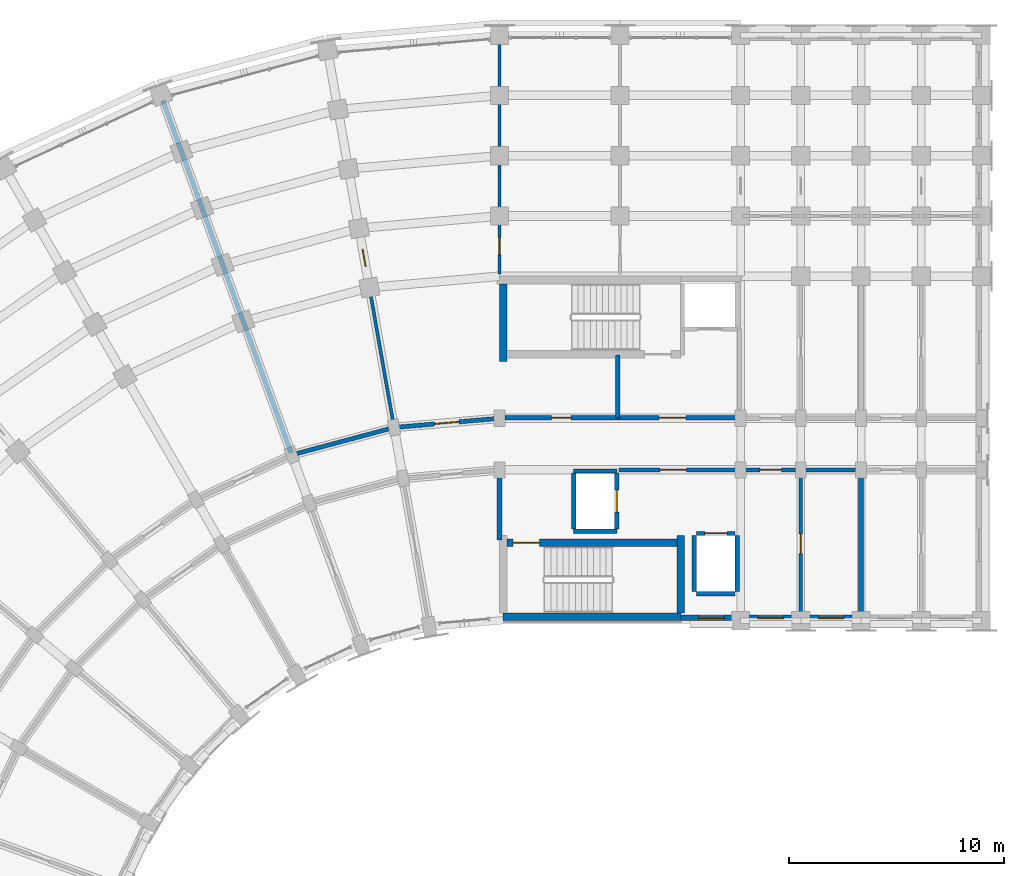
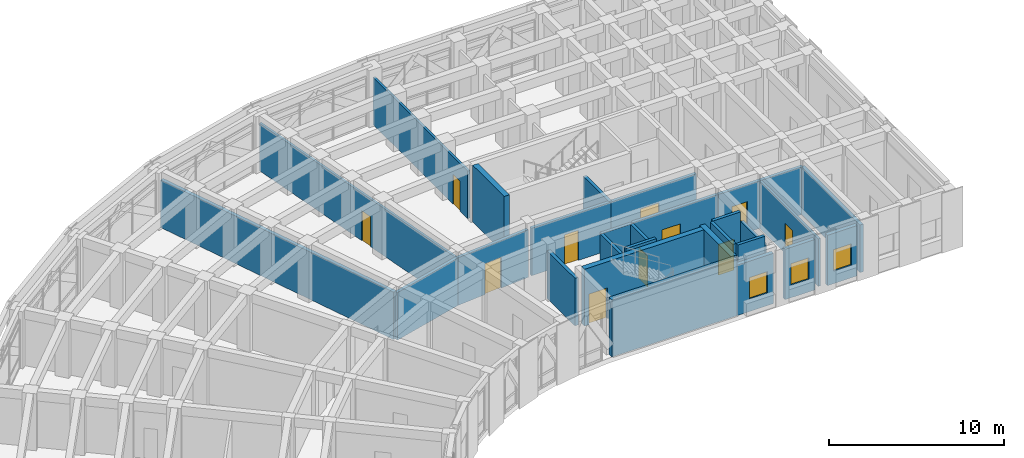
# One storey, part 69 of 97: 29 walls, 11 doors, 3 windows, 14 openings.
"""IFC4 building model written with IfcOpenShell, lengths in metres."""

from ifc_helpers import new_model, si_unit, direction, frame, frame_2d, origin, place, context, subcontext, project, spatial, rectangle, extrude, material, layer, layer_set, type_object, element, fill, save


model = new_model("IFC4")

# Units and contexts
model_context = context("Model", 3, precision=1e-05, world=origin(), true_north=direction((0.0, 1.0)))
body_context = subcontext(model_context, "Body", "Model", "MODEL_VIEW")
ifc_project = project(units=[si_unit("LENGTHUNIT", "METRE"), si_unit("AREAUNIT", "SQUARE_METRE"), si_unit("VOLUMEUNIT", "CUBIC_METRE"), si_unit("PLANEANGLEUNIT", "RADIAN"), si_unit("MASSUNIT", "GRAM", prefix="KILO")], contexts=[model_context])

# Site, building, storey
site_placement = place(None, origin())
site = spatial("IfcSite", under=ifc_project, at=site_placement, CompositionType="ELEMENT")
building_placement = place(site_placement, origin())
building = spatial("IfcBuilding", under=site, at=building_placement, Name="Kiranvali Square Residences", CompositionType="ELEMENT")
storey_placement = place(building_placement, frame((0.0, 0.0, 4.5)))
storey = spatial("IfcBuildingStorey", under=building, at=storey_placement, Name="L01", CompositionType="ELEMENT", Elevation=4.5)

# Wall, opening, door
ifc_material_1 = material(Name="Autoclaved aerated concrete blockwork masonry", Category="masonry")
ifc_layer_1 = layer(ifc_material_1, 0.199951171875)
ifc_layer_set_1 = layer_set([ifc_layer_1], Name="Autoclaved aerated concrete blockwork masonry")
wall_type_1 = type_object("IfcWallType", Name="WL-COR-200", PredefinedType="STANDARD", material=ifc_layer_set_1)
wall_1_placement = place(storey_placement, frame((53.75, 113.60009765625, 0.0), z_axis=(0.0, 0.0, 1.0), x_axis=(1.0, 0.0, 0.0)))
wall_1 = element("IfcWall", 1, at=wall_1_placement, inside=storey, type_object=wall_type_1, Name="L01 architectural wall WL-L01-A-LL-COR", PredefinedType="STANDARD", context=body_context, shape_type="SweptSolid", body=[
    extrude(rectangle(XDim=5.60009765625, YDim=0.199951171875, at=frame_2d((2.800048828125, 0.0))), origin(), (0.0, 0.0, 1.0), 3.322021484375),
])
opening_1_placement = place(wall_1_placement, frame((1.909912109375, 0.0, 0.0)))
opening_1 = element("IfcOpeningElement", 2, at=opening_1_placement, cuts=wall_1, Name="Opening FD-COR-60", PredefinedType="OPENING", context=body_context, shape_type="SweptSolid", body=[
    extrude(rectangle(XDim=1.219970703125, YDim=2.14990234375, at=frame_2d((0.60986328125, 1.074951171875))), frame((0.0, 0.10986328125, 0.0), z_axis=(0.0, -1.0, 0.0), x_axis=(1.0, 0.0, 0.0)), (0.0, 0.0, 1.0), 0.219970703125),
])
ifc_material_2 = material(Name="Fire-rated acoustic hardwood and mineral-core door assembly", Category="wood")
door_type_1 = type_object("IfcDoorType", Name="DR-FD60-1200", OperationType="NOTDEFINED", PredefinedType="DOOR", material=ifc_material_2)
door_1_placement = place(opening_1_placement, frame((1.219970703125, 0.0, 0.0), z_axis=(0.0, 0.0, 1.0), x_axis=(-1.0, 0.0, 0.0)))
door_1 = element("IfcDoor", 3, at=door_1_placement, inside=storey, type_object=door_type_1, Name="L01 door DR-L01-0104 (DR-FD60-1200)", OperationType="SINGLE_SWING_RIGHT", OverallHeight=2.14990234375, OverallWidth=1.219970703125, PredefinedType="DOOR", context=body_context, shape_type="SweptSolid", body=[
    extrude(rectangle(XDim=1.219970703125, YDim=2.14990234375, at=frame_2d((0.60986328125, 1.074951171875))), frame((0.0, 0.02490234375, 0.0), z_axis=(0.0, -1.0, 0.0), x_axis=(1.0, 0.0, 0.0)), (0.0, 0.0, 1.0), 0.050048828125),
])
fill(opening_1, door_1)

wall_2_placement = place(storey_placement, frame((59.39990234375, 113.60009765625, 0.0), z_axis=(0.0, 0.0, 1.0), x_axis=(1.0, 0.0, 0.0)))
wall_2 = element("IfcWall", 4, at=wall_2_placement, inside=storey, type_object=wall_type_1, Name="L01 architectural wall WL-L01-A-A1CI-0", PredefinedType="STANDARD", context=body_context, shape_type="SweptSolid", body=[
    extrude(rectangle(XDim=2.800048828125, YDim=0.199951171875, at=frame_2d((1.39990234375, 0.0))), origin(), (0.0, 0.0, 1.0), 3.322021484375),
])
opening_2_placement = place(wall_2_placement, frame((0.89990234375, 0.0, 0.0)))
opening_2 = element("IfcOpeningElement", 5, at=opening_2_placement, cuts=wall_2, Name="Opening FD-APT-60", PredefinedType="OPENING", context=body_context, shape_type="SweptSolid", body=[
    extrude(rectangle(XDim=1.0, YDim=2.14990234375, at=frame_2d((0.5, 1.074951171875))), frame((0.0, 0.10986328125, 0.0), z_axis=(0.0, -1.0, 0.0), x_axis=(1.0, 0.0, 0.0)), (0.0, 0.0, 1.0), 0.219970703125),
])
door_type_2 = type_object("IfcDoorType", Name="DR-APT-1000", OperationType="NOTDEFINED", PredefinedType="DOOR", material=ifc_material_2)
door_2_placement = place(opening_2_placement, frame((1.0, 0.0, 0.0), z_axis=(0.0, 0.0, 1.0), x_axis=(-1.0, 0.0, 0.0)))
door_2 = element("IfcDoor", 6, at=door_2_placement, inside=storey, type_object=door_type_2, Name="L01 door DR-L01-0108 (DR-APT-1000)", OperationType="SINGLE_SWING_RIGHT", OverallHeight=2.14990234375, OverallWidth=1.0, PredefinedType="DOOR", context=body_context, shape_type="SweptSolid", body=[
    extrude(rectangle(XDim=1.0, YDim=2.14990234375, at=frame_2d((0.5, 1.074951171875))), frame((0.0, 0.02490234375, 0.0), z_axis=(0.0, -1.0, 0.0), x_axis=(1.0, 0.0, 0.0)), (0.0, 0.0, 1.0), 0.050048828125),
])
fill(opening_2, door_2)

# Wall
wall_3_placement = place(storey_placement, frame((62.199951171875, 113.60009765625, 0.0), z_axis=(0.0, 0.0, 1.0), x_axis=(1.0, 0.0, 0.0)))
element("IfcWall", 7, at=wall_3_placement, inside=storey, type_object=wall_type_1, Name="L01 architectural wall WL-L01-A-A1CI-1", PredefinedType="STANDARD", context=body_context, shape_type="SweptSolid", body=[
    extrude(rectangle(XDim=2.800048828125, YDim=0.199951171875, at=frame_2d((1.39990234375, 0.0))), origin(), (0.0, 0.0, 1.0), 3.322021484375),
])

# Wall, opening, door
wall_4_placement = place(storey_placement, frame((48.199951171875, 116.0, 0.0), z_axis=(0.0, 0.0, 1.0), x_axis=(-0.996193663584, -0.087167566415, 0.0)))
wall_4 = element("IfcWall", 8, at=wall_4_placement, inside=storey, type_object=wall_type_1, Name="L01 architectural wall WL-L01-A-CCO-0", PredefinedType="STANDARD", context=body_context, shape_type="SweptSolid", body=[
    extrude(rectangle(XDim=4.91552734375, YDim=0.199951171875, at=frame_2d((2.457763671875, 0.0))), origin(), (0.0, 0.0, 1.0), 3.322021484375),
])
opening_3_placement = place(wall_4_placement, frame((1.8876953125, 0.0, 0.0)))
opening_3 = element("IfcOpeningElement", 9, at=opening_3_placement, cuts=wall_4, Name="Opening FD-APT-60D", PredefinedType="OPENING", context=body_context, shape_type="SweptSolid", body=[
    extrude(rectangle(XDim=1.139892578125, YDim=2.14990234375, at=frame_2d((0.56982421875, 1.074951171875))), frame((0.0, 0.10986328125, 0.0), z_axis=(0.0, -1.0, 0.0), x_axis=(1.0, 0.0, 0.0)), (0.0, 0.0, 1.0), 0.219970703125),
])
door_type_3 = type_object("IfcDoorType", Name="DR-APT-1140", OperationType="NOTDEFINED", PredefinedType="DOOR", material=ifc_material_2)
door_3_placement = place(opening_3_placement, origin())
door_3 = element("IfcDoor", 10, at=door_3_placement, inside=storey, type_object=door_type_3, Name="L01 door DR-L01-0135 (DR-APT-1140)", OperationType="SINGLE_SWING_LEFT", OverallHeight=2.14990234375, OverallWidth=1.139892578125, PredefinedType="DOOR", context=body_context, shape_type="SweptSolid", body=[
    extrude(rectangle(XDim=1.139892578125, YDim=2.14990234375, at=frame_2d((0.56982421875, 1.074951171875))), frame((0.0, 0.02490234375, 0.0), z_axis=(0.0, -1.0, 0.0), x_axis=(1.0, 0.0, 0.0)), (0.0, 0.0, 1.0), 0.050048828125),
])
fill(opening_3, door_3)

# Walls
wall_5_placement = place(storey_placement, frame((43.30322265625, 115.571533203125, 0.0), z_axis=(0.0, 0.0, 1.0), x_axis=(-0.965930095386, -0.258803112091, 0.0)))
element("IfcWall", 11, at=wall_5_placement, inside=storey, type_object=wall_type_1, Name="L01 architectural wall WL-L01-A-CCO-1", PredefinedType="STANDARD", context=body_context, shape_type="SweptSolid", body=[
    extrude(rectangle(XDim=4.915771484375, YDim=0.199951171875, at=frame_2d((2.4580078125, 0.0))), origin(), (0.0, 0.0, 1.0), 3.322021484375),
])
ifc_layer_2 = layer(ifc_material_1, 0.219970703125)
ifc_layer_set_2 = layer_set([ifc_layer_2], Name="Autoclaved aerated concrete blockwork masonry")
wall_type_2 = type_object("IfcWallType", Name="WL-DEM-220", PredefinedType="STANDARD", material=ifc_layer_set_2)
wall_6_placement = place(storey_placement, frame((65.0, 106.800048828125, 0.0), z_axis=(0.0, 0.0, 1.0), x_axis=(0.0, 1.0, 0.0)))
element("IfcWall", 12, at=wall_6_placement, inside=storey, type_object=wall_type_2, Name="L01 architectural wall WL-L01-A-A1TI-2", PredefinedType="STANDARD", context=body_context, shape_type="SweptSolid", body=[
    extrude(rectangle(XDim=6.75, YDim=0.219970703125, at=frame_2d((3.375, 0.0))), origin(), (0.0, 0.0, 1.0), 3.322021484375),
])
wall_7_placement = place(storey_placement, frame((48.199951171875, 110.35009765625, 0.0), z_axis=(0.0, 0.0, 1.0), x_axis=(0.0, 1.0, 0.0)))
element("IfcWall", 13, at=wall_7_placement, inside=storey, type_object=wall_type_2, Name="L01 architectural wall WL-L01-A-RADI-0", PredefinedType="STANDARD", context=body_context, shape_type="SweptSolid", body=[
    extrude(rectangle(XDim=3.199951171875, YDim=0.219970703125, at=frame_2d((1.60009765625, 0.0))), origin(), (0.0, 0.0, 1.0), 3.322021484375),
])
ifc_layer_3 = layer(ifc_material_1, 0.22998046875)
ifc_layer_set_3 = layer_set([ifc_layer_3], Name="Autoclaved aerated concrete blockwork masonry")
wall_type_3 = type_object("IfcWallType", Name="WL-DEM-230", PredefinedType="STANDARD", material=ifc_layer_set_3)
wall_8_placement = place(storey_placement, frame((38.520751953125, 114.393310546875, 0.0), z_axis=(0.0, 0.0, 1.0), x_axis=(-0.342022120477, 0.939691901159, 0.0)))
element("IfcWall", 14, at=wall_8_placement, inside=storey, type_object=wall_type_3, Name="L01 architectural wall WL-L01-A-RADO-2", PredefinedType="STANDARD", context=body_context, shape_type="SweptSolid", body=[
    extrude(rectangle(XDim=17.419921875, YDim=0.22998046875, at=frame_2d((8.7099609375, 0.0))), origin(), (0.0, 0.0, 1.0), 3.322021484375),
])

# Wall, opening, window
ifc_material_3 = material(Name="Breathable lime-rendered clay brick masonry", Category="masonry")
ifc_layer_4 = layer(ifc_material_3, 0.25)
ifc_layer_set_4 = layer_set([ifc_layer_4], Name="Breathable lime-rendered clay brick masonry")
wall_type_4 = type_object("IfcWallType", Name="WL-EXT-250", PredefinedType="STANDARD", material=ifc_layer_set_4)
wall_9_placement = place(storey_placement, frame((56.62841796875, 106.72509765625, 0.0), z_axis=(0.0, 0.0, 1.0), x_axis=(1.0, 0.0, 0.0)))
wall_9 = element("IfcWall", 15, at=wall_9_placement, inside=storey, type_object=wall_type_4, Name="L01 exterior wall A-L01-A1IN-0", PredefinedType="STANDARD", context=body_context, shape_type="SweptSolid", body=[
    extrude(rectangle(XDim=2.421630859375, YDim=0.25, at=frame_2d((1.2109375, 0.0))), origin(), (0.0, 0.0, 1.0), 3.52197265625),
])
opening_4_placement = place(wall_9_placement, frame((0.821533203125, 0.0, 0.8798828125)))
opening_4 = element("IfcOpeningElement", 16, at=opening_4_placement, cuts=wall_9, Name="Opening W-06", PredefinedType="OPENING", context=body_context, shape_type="SweptSolid", body=[
    extrude(rectangle(XDim=1.199951171875, YDim=1.5, at=frame_2d((0.60009765625, 0.75))), frame((0.0, 0.135009765625, 0.0), z_axis=(0.0, -1.0, 0.0), x_axis=(1.0, 0.0, 0.0)), (0.0, 0.0, 1.0), 0.27001953125),
])
ifc_material_4 = material(Name="Solar-control low-e double glazing", Category="glass")
window_type = type_object("IfcWindowType", Name="WIN-RES-1200x1500", PartitioningType="SINGLE_PANEL", PredefinedType="WINDOW", material=ifc_material_4)
window_1_placement = place(opening_4_placement, origin())
window_1 = element("IfcWindow", 17, at=window_1_placement, inside=storey, type_object=window_type, Name="L01 recessed window A-L01-A1IN-0", OverallHeight=1.5, OverallWidth=1.199951171875, PartitioningType="SINGLE_PANEL", PredefinedType="WINDOW", context=body_context, shape_type="SweptSolid", body=[
    extrude(rectangle(XDim=1.199951171875, YDim=1.5, at=frame_2d((0.60009765625, 0.75))), frame((0.0, 0.030029296875, 0.0), z_axis=(0.0, -1.0, 0.0), x_axis=(1.0, 0.0, 0.0)), (0.0, 0.0, 1.0), 0.06005859375),
])
fill(opening_4, window_1)

wall_10_placement = place(storey_placement, frame((59.820068359375, 106.72509765625, 0.0), z_axis=(0.0, 0.0, 1.0), x_axis=(1.0, 0.0, 0.0)))
wall_10 = element("IfcWall", 18, at=wall_10_placement, inside=storey, type_object=wall_type_4, Name="L01 exterior wall A-L01-A1I-0", PredefinedType="STANDARD", context=body_context, shape_type="SweptSolid", body=[
    extrude(rectangle(XDim=1.9599609375, YDim=0.25, at=frame_2d((0.97998046875, 0.0))), origin(), (0.0, 0.0, 1.0), 3.52197265625),
])
opening_5_placement = place(wall_10_placement, frame((0.3798828125, 0.0, 0.8798828125)))
opening_5 = element("IfcOpeningElement", 19, at=opening_5_placement, cuts=wall_10, Name="Opening W-06", PredefinedType="OPENING", context=body_context, shape_type="SweptSolid", body=[
    extrude(rectangle(XDim=1.199951171875, YDim=1.5, at=frame_2d((0.60009765625, 0.75))), frame((0.0, 0.135009765625, 0.0), z_axis=(0.0, -1.0, 0.0), x_axis=(1.0, 0.0, 0.0)), (0.0, 0.0, 1.0), 0.27001953125),
])
window_2_placement = place(opening_5_placement, origin())
window_2 = element("IfcWindow", 20, at=window_2_placement, inside=storey, type_object=window_type, Name="L01 recessed window A-L01-A1I-0", OverallHeight=1.5, OverallWidth=1.199951171875, PartitioningType="SINGLE_PANEL", PredefinedType="WINDOW", context=body_context, shape_type="SweptSolid", body=[
    extrude(rectangle(XDim=1.199951171875, YDim=1.5, at=frame_2d((0.60009765625, 0.75))), frame((0.0, 0.030029296875, 0.0), z_axis=(0.0, -1.0, 0.0), x_axis=(1.0, 0.0, 0.0)), (0.0, 0.0, 1.0), 0.06005859375),
])
fill(opening_5, window_2)

wall_11_placement = place(storey_placement, frame((62.6201171875, 106.72509765625, 0.0), z_axis=(0.0, 0.0, 1.0), x_axis=(1.0, 0.0, 0.0)))
wall_11 = element("IfcWall", 21, at=wall_11_placement, inside=storey, type_object=wall_type_4, Name="L01 exterior wall A-L01-A1I-1", PredefinedType="STANDARD", context=body_context, shape_type="SweptSolid", body=[
    extrude(rectangle(XDim=1.9599609375, YDim=0.25, at=frame_2d((0.97998046875, 0.0))), origin(), (0.0, 0.0, 1.0), 3.52197265625),
])
opening_6_placement = place(wall_11_placement, frame((0.3798828125, 0.0, 0.8798828125)))
opening_6 = element("IfcOpeningElement", 22, at=opening_6_placement, cuts=wall_11, Name="Opening W-06", PredefinedType="OPENING", context=body_context, shape_type="SweptSolid", body=[
    extrude(rectangle(XDim=1.199951171875, YDim=1.5, at=frame_2d((0.60009765625, 0.75))), frame((0.0, 0.135009765625, 0.0), z_axis=(0.0, -1.0, 0.0), x_axis=(1.0, 0.0, 0.0)), (0.0, 0.0, 1.0), 0.27001953125),
])
window_3_placement = place(opening_6_placement, origin())
window_3 = element("IfcWindow", 23, at=window_3_placement, inside=storey, type_object=window_type, Name="L01 recessed window A-L01-A1I-1", OverallHeight=1.5, OverallWidth=1.199951171875, PartitioningType="SINGLE_PANEL", PredefinedType="WINDOW", context=body_context, shape_type="SweptSolid", body=[
    extrude(rectangle(XDim=1.199951171875, YDim=1.5, at=frame_2d((0.60009765625, 0.75))), frame((0.0, 0.030029296875, 0.0), z_axis=(0.0, -1.0, 0.0), x_axis=(1.0, 0.0, 0.0)), (0.0, 0.0, 1.0), 0.06005859375),
])
fill(opening_6, window_3)

# Wall, opening, door
ifc_layer_5 = layer(ifc_material_1, 0.199951171875)
ifc_layer_set_5 = layer_set([ifc_layer_5], Name="Autoclaved aerated concrete blockwork masonry")
wall_type_5 = type_object("IfcWallType", Name="WL-FFL-200", PredefinedType="STANDARD", material=ifc_layer_set_5)
wall_12_placement = place(storey_placement, frame((53.699951171875, 116.02001953125, 0.0), z_axis=(0.0, 0.0, 1.0), x_axis=(1.0, 0.0, 0.0)))
wall_12 = element("IfcWall", 24, at=wall_12_placement, inside=storey, type_object=wall_type_5, Name="L01 architectural wall WL-L01-A-FF-COR", PredefinedType="STANDARD", context=body_context, shape_type="SweptSolid", body=[
    extrude(rectangle(XDim=5.650146484375, YDim=0.199951171875, at=frame_2d((2.8251953125, 0.0))), origin(), (0.0, 0.0, 1.0), 3.322021484375),
])
opening_7_placement = place(wall_12_placement, frame((1.922607421875, 0.0, 0.0)))
opening_7 = element("IfcOpeningElement", 25, at=opening_7_placement, cuts=wall_12, Name="Opening FD-ST-120", PredefinedType="OPENING", context=body_context, shape_type="SweptSolid", body=[
    extrude(rectangle(XDim=1.239990234375, YDim=2.14990234375, at=frame_2d((0.6201171875, 1.074951171875))), frame((0.0, 0.10986328125, 0.0), z_axis=(0.0, -1.0, 0.0), x_axis=(1.0, 0.0, 0.0)), (0.0, 0.0, 1.0), 0.219970703125),
])
door_type_4 = type_object("IfcDoorType", Name="DR-FD120-1200", OperationType="NOTDEFINED", PredefinedType="DOOR", material=ifc_material_2)
door_4_placement = place(opening_7_placement, frame((1.239990234375, 0.0, 0.0), z_axis=(0.0, 0.0, 1.0), x_axis=(-1.0, 0.0, 0.0)))
door_4 = element("IfcDoor", 26, at=door_4_placement, inside=storey, type_object=door_type_4, Name="L01 door DR-L01-0096 (DR-FD120-1200)", OperationType="SINGLE_SWING_RIGHT", OverallHeight=2.14990234375, OverallWidth=1.239990234375, PredefinedType="DOOR", context=body_context, shape_type="SweptSolid", body=[
    extrude(rectangle(XDim=1.239990234375, YDim=2.14990234375, at=frame_2d((0.6201171875, 1.074951171875))), frame((0.0, 0.02490234375, 0.0), z_axis=(0.0, -1.0, 0.0), x_axis=(1.0, 0.0, 0.0)), (0.0, 0.0, 1.0), 0.050048828125),
])
fill(opening_7, door_4)

# Wall
wall_13_placement = place(storey_placement, frame((53.699951171875, 116.02001953125, 0.0), z_axis=(0.0, 0.0, 1.0), x_axis=(0.0, 1.0, 0.0)))
element("IfcWall", 27, at=wall_13_placement, inside=storey, type_object=wall_type_5, Name="L01 architectural wall WL-L01-A-FF-DIV", PredefinedType="STANDARD", context=body_context, shape_type="SweptSolid", body=[
    extrude(rectangle(XDim=2.929931640625, YDim=0.199951171875, at=frame_2d((1.46484375, 0.0))), origin(), (0.0, 0.0, 1.0), 3.322021484375),
])

# Wall, opening, door
ifc_material_5 = material(Name="Acoustic gypsum board drylined partition", Category="gypsum")
ifc_layer_6 = layer(ifc_material_5, 0.14990234375)
ifc_layer_set_6 = layer_set([ifc_layer_6], Name="Acoustic gypsum board drylined partition")
wall_type_6 = type_object("IfcWallType", Name="WL-PRT-150", PredefinedType="PARTITIONING", material=ifc_layer_set_6)
wall_14_placement = place(storey_placement, frame((62.199951171875, 106.800048828125, 0.0), z_axis=(0.0, 0.0, 1.0), x_axis=(0.0, 1.0, 0.0)))
wall_14 = element("IfcWall", 28, at=wall_14_placement, inside=storey, type_object=wall_type_6, Name="L01 architectural wall WL-L01-A-A1TI-1", PredefinedType="PARTITIONING", context=body_context, shape_type="SweptSolid", body=[
    extrude(rectangle(XDim=6.75, YDim=0.14990234375, at=frame_2d((3.375, 0.0))), origin(), (0.0, 0.0, 1.0), 3.322021484375),
])
opening_8_placement = place(wall_14_placement, frame((2.925048828125, 0.0, 0.0)))
opening_8 = element("IfcOpeningElement", 29, at=opening_8_placement, cuts=wall_14, Name="Opening ID-1", PredefinedType="OPENING", context=body_context, shape_type="SweptSolid", body=[
    extrude(rectangle(XDim=0.89990234375, YDim=2.10009765625, at=frame_2d((0.449951171875, 1.050048828125))), frame((0.0, 0.0849609375, 0.0), z_axis=(0.0, -1.0, 0.0), x_axis=(1.0, 0.0, 0.0)), (0.0, 0.0, 1.0), 0.169921875),
])
ifc_material_6 = material(Name="Solid seasoned teak hardwood joinery", Category="wood")
door_type_5 = type_object("IfcDoorType", Name="DR-INT-900", OperationType="NOTDEFINED", PredefinedType="DOOR", material=ifc_material_6)
door_5_placement = place(opening_8_placement, origin())
door_5 = element("IfcDoor", 30, at=door_5_placement, inside=storey, type_object=door_type_5, Name="L01 door DR-L01-0117 (DR-INT-900)", OperationType="SINGLE_SWING_LEFT", OverallHeight=2.10009765625, OverallWidth=0.89990234375, PredefinedType="DOOR", context=body_context, shape_type="SweptSolid", body=[
    extrude(rectangle(XDim=0.89990234375, YDim=2.10009765625, at=frame_2d((0.449951171875, 1.050048828125))), frame((0.0, 0.02490234375, 0.0), z_axis=(0.0, -1.0, 0.0), x_axis=(1.0, 0.0, 0.0)), (0.0, 0.0, 1.0), 0.050048828125),
])
fill(opening_8, door_5)

wall_15_placement = place(storey_placement, frame((48.199951171875, 122.699951171875, 0.0), z_axis=(0.0, 0.0, 1.0), x_axis=(0.0, 1.0, 0.0)))
wall_15 = element("IfcWall", 31, at=wall_15_placement, inside=storey, type_object=wall_type_6, Name="L01 architectural wall WL-L01-A-RADO-0", PredefinedType="PARTITIONING", context=body_context, shape_type="SweptSolid", body=[
    extrude(rectangle(XDim=10.820068359375, YDim=0.14990234375, at=frame_2d((5.41015625, 0.0))), origin(), (0.0, 0.0, 1.0), 3.322021484375),
])
opening_9_placement = place(wall_15_placement, frame((0.8994140625, 0.0, 0.0)))
opening_9 = element("IfcOpeningElement", 32, at=opening_9_placement, cuts=wall_15, Name="Opening ID-WET", PredefinedType="OPENING", context=body_context, shape_type="SweptSolid", body=[
    extrude(rectangle(XDim=0.800048828125, YDim=2.10009765625, at=frame_2d((0.39990234375, 1.050048828125))), frame((0.0, 0.0849609375, 0.0), z_axis=(0.0, -1.0, 0.0), x_axis=(1.0, 0.0, 0.0)), (0.0, 0.0, 1.0), 0.169921875),
])
door_type_6 = type_object("IfcDoorType", Name="DR-WET-800", OperationType="NOTDEFINED", PredefinedType="DOOR", material=ifc_material_6)
door_6_placement = place(opening_9_placement, origin())
door_6 = element("IfcDoor", 33, at=door_6_placement, inside=storey, type_object=door_type_6, Name="L01 door DR-L01-0123 (DR-WET-800)", OperationType="SINGLE_SWING_LEFT", OverallHeight=2.10009765625, OverallWidth=0.800048828125, PredefinedType="DOOR", context=body_context, shape_type="SweptSolid", body=[
    extrude(rectangle(XDim=0.800048828125, YDim=2.10009765625, at=frame_2d((0.39990234375, 1.050048828125))), frame((0.0, 0.02490234375, 0.0), z_axis=(0.0, -1.0, 0.0), x_axis=(1.0, 0.0, 0.0)), (0.0, 0.0, 1.0), 0.050048828125),
])
fill(opening_9, door_6)

wall_16_placement = place(storey_placement, frame((43.28564453125, 115.670166015625, 0.0), z_axis=(0.0, 0.0, 1.0), x_axis=(-0.173646216546, 0.984808098809, 0.0)))
wall_16 = element("IfcWall", 34, at=wall_16_placement, inside=storey, type_object=wall_type_6, Name="L01 architectural wall WL-L01-A-RADO-1", PredefinedType="PARTITIONING", context=body_context, shape_type="SweptSolid", body=[
    extrude(rectangle(XDim=17.419921875, YDim=0.14990234375, at=frame_2d((8.7099609375, 0.0))), origin(), (0.0, 0.0, 1.0), 3.322021484375),
])
opening_10_placement = place(wall_16_placement, frame((7.5, 0.0, 0.0)))
opening_10 = element("IfcOpeningElement", 35, at=opening_10_placement, cuts=wall_16, Name="Opening ID-WET", PredefinedType="OPENING", context=body_context, shape_type="SweptSolid", body=[
    extrude(rectangle(XDim=0.800048828125, YDim=2.10009765625, at=frame_2d((0.39990234375, 1.050048828125))), frame((0.0, 0.0849609375, 0.0), z_axis=(0.0, -1.0, 0.0), x_axis=(1.0, 0.0, 0.0)), (0.0, 0.0, 1.0), 0.169921875),
])
door_7_placement = place(opening_10_placement, origin())
door_7 = element("IfcDoor", 36, at=door_7_placement, inside=storey, type_object=door_type_6, Name="L01 door DR-L01-0125 (DR-WET-800)", OperationType="SINGLE_SWING_LEFT", OverallHeight=2.10009765625, OverallWidth=0.800048828125, PredefinedType="DOOR", context=body_context, shape_type="SweptSolid", body=[
    extrude(rectangle(XDim=0.800048828125, YDim=2.10009765625, at=frame_2d((0.39990234375, 1.050048828125))), frame((0.0, 0.02490234375, 0.0), z_axis=(0.0, -1.0, 0.0), x_axis=(1.0, 0.0, 0.0)), (0.0, 0.0, 1.0), 0.050048828125),
])
fill(opening_10, door_7)

ifc_layer_7 = layer(ifc_material_1, 0.199951171875)
ifc_layer_set_7 = layer_set([ifc_layer_7], Name="Autoclaved aerated concrete blockwork masonry")
wall_type_7 = type_object("IfcWallType", Name="WL-SHF-200", PredefinedType="STANDARD", material=ifc_layer_set_7)
wall_17_placement = place(storey_placement, frame((48.449951171875, 116.02001953125, 0.0), z_axis=(0.0, 0.0, 1.0), x_axis=(1.0, 0.0, 0.0)))
wall_17 = element("IfcWall", 37, at=wall_17_placement, inside=storey, type_object=wall_type_7, Name="L01 architectural wall WL-L01-A-RSR-COR", PredefinedType="STANDARD", context=body_context, shape_type="SweptSolid", body=[
    extrude(rectangle(XDim=5.25, YDim=0.199951171875, at=frame_2d((2.625, 0.0))), origin(), (0.0, 0.0, 1.0), 3.322021484375),
])
opening_11_placement = place(wall_17_placement, frame((2.1650390625, 0.0, 0.0)))
opening_11 = element("IfcOpeningElement", 38, at=opening_11_placement, cuts=wall_17, Name="Opening FD-SVC-120", PredefinedType="OPENING", context=body_context, shape_type="SweptSolid", body=[
    extrude(rectangle(XDim=0.919921875, YDim=2.10009765625, at=frame_2d((0.4599609375, 1.050048828125))), frame((0.0, 0.10986328125, 0.0), z_axis=(0.0, -1.0, 0.0), x_axis=(1.0, 0.0, 0.0)), (0.0, 0.0, 1.0), 0.219970703125),
])
door_type_7 = type_object("IfcDoorType", Name="DR-SVC-900", OperationType="NOTDEFINED", PredefinedType="DOOR", material=ifc_material_2)
door_8_placement = place(opening_11_placement, origin())
door_8 = element("IfcDoor", 39, at=door_8_placement, inside=storey, type_object=door_type_7, Name="L01 door DR-L01-0097 (DR-SVC-900)", OperationType="SINGLE_SWING_LEFT", OverallHeight=2.10009765625, OverallWidth=0.919921875, PredefinedType="DOOR", context=body_context, shape_type="SweptSolid", body=[
    extrude(rectangle(XDim=0.919921875, YDim=2.10009765625, at=frame_2d((0.4599609375, 1.050048828125))), frame((0.0, 0.02490234375, 0.0), z_axis=(0.0, -1.0, 0.0), x_axis=(1.0, 0.0, 0.0)), (0.0, 0.0, 1.0), 0.050048828125),
])
fill(opening_11, door_8)

# Walls
wall_18_placement = place(storey_placement, frame((57.25, 107.949951171875, 0.0), z_axis=(0.0, 0.0, 1.0), x_axis=(0.0, 1.0, 0.0)))
element("IfcWall", 40, at=wall_18_placement, inside=storey, type_object=wall_type_7, Name="L01 architectural wall WL-L01-A-LP1-S1", PredefinedType="STANDARD", context=body_context, shape_type="SweptSolid", body=[
    extrude(rectangle(XDim=2.60009765625, YDim=0.199951171875, at=frame_2d((1.300048828125, 0.0))), origin(), (0.0, 0.0, 1.0), 3.97998046875),
])
wall_19_placement = place(storey_placement, frame((59.25, 107.949951171875, 0.0), z_axis=(0.0, 0.0, 1.0), x_axis=(0.0, 1.0, 0.0)))
element("IfcWall", 41, at=wall_19_placement, inside=storey, type_object=wall_type_7, Name="L01 architectural wall WL-L01-A-LP1-B", PredefinedType="STANDARD", context=body_context, shape_type="SweptSolid", body=[
    extrude(rectangle(XDim=2.60009765625, YDim=0.199951171875, at=frame_2d((1.300048828125, 0.0))), origin(), (0.0, 0.0, 1.0), 3.322021484375),
])
wall_20_placement = place(storey_placement, frame((57.35009765625, 107.85009765625, 0.0), z_axis=(0.0, 0.0, 1.0), x_axis=(1.0, 0.0, 0.0)))
element("IfcWall", 42, at=wall_20_placement, inside=storey, type_object=wall_type_7, Name="L01 architectural wall WL-L01-A-LP1-S2", PredefinedType="STANDARD", context=body_context, shape_type="SweptSolid", body=[
    extrude(rectangle(XDim=1.7998046875, YDim=0.199951171875, at=frame_2d((0.89990234375, 0.0))), origin(), (0.0, 0.0, 1.0), 3.97998046875),
])

# Wall, opening, door
wall_21_placement = place(storey_placement, frame((57.35009765625, 110.64990234375, 0.0), z_axis=(0.0, 0.0, 1.0), x_axis=(1.0, 0.0, 0.0)))
wall_21 = element("IfcWall", 43, at=wall_21_placement, inside=storey, type_object=wall_type_7, Name="L01 architectural wall WL-L01-A-LP1-F", PredefinedType="STANDARD", context=body_context, shape_type="SweptSolid", body=[
    extrude(rectangle(XDim=1.7998046875, YDim=0.199951171875, at=frame_2d((0.89990234375, 0.0))), origin(), (0.0, 0.0, 1.0), 3.97998046875),
])
opening_12_placement = place(wall_21_placement, frame((0.389892578125, 0.0, 0.0)))
opening_12 = element("IfcOpeningElement", 44, at=opening_12_placement, cuts=wall_21, Name="Opening LD-PAX-100", PredefinedType="OPENING", context=body_context, shape_type="SweptSolid", body=[
    extrude(rectangle(XDim=1.02001953125, YDim=2.14990234375, at=frame_2d((0.510009765625, 1.074951171875))), frame((0.0, 0.10986328125, 0.0), z_axis=(0.0, -1.0, 0.0), x_axis=(1.0, 0.0, 0.0)), (0.0, 0.0, 1.0), 0.219970703125),
])
door_type_8 = type_object("IfcDoorType", Name="DR-LIFT-1000", OperationType="SLIDING_TO_RIGHT", PredefinedType="DOOR", material=ifc_material_2)
door_9_placement = place(opening_12_placement, origin())
door_9 = element("IfcDoor", 45, at=door_9_placement, inside=storey, type_object=door_type_8, Name="L01 door DR-L01-0102 (DR-LIFT-1000)", OperationType="SLIDING_TO_RIGHT", OverallHeight=2.14990234375, OverallWidth=1.02001953125, PredefinedType="DOOR", context=body_context, shape_type="SweptSolid", body=[
    extrude(rectangle(XDim=1.02001953125, YDim=2.14990234375, at=frame_2d((0.510009765625, 1.074951171875))), frame((0.0, 0.02490234375, 0.0), z_axis=(0.0, -1.0, 0.0), x_axis=(1.0, 0.0, 0.0)), (0.0, 0.0, 1.0), 0.050048828125),
])
fill(opening_12, door_9)

# Walls
wall_22_placement = place(storey_placement, frame((51.64990234375, 110.75, 0.0), z_axis=(0.0, 0.0, 1.0), x_axis=(1.0, 0.0, 0.0)))
element("IfcWall", 46, at=wall_22_placement, inside=storey, type_object=wall_type_7, Name="L01 architectural wall WL-L01-A-LP2-S0", PredefinedType="STANDARD", context=body_context, shape_type="SweptSolid", body=[
    extrude(rectangle(XDim=2.0, YDim=0.199951171875, at=frame_2d((1.0, 0.0))), origin(), (0.0, 0.0, 1.0), 3.97998046875),
])
wall_23_placement = place(storey_placement, frame((51.64990234375, 113.550048828125, 0.0), z_axis=(0.0, 0.0, 1.0), x_axis=(1.0, 0.0, 0.0)))
element("IfcWall", 47, at=wall_23_placement, inside=storey, type_object=wall_type_7, Name="L01 architectural wall WL-L01-A-LP2-B", PredefinedType="STANDARD", context=body_context, shape_type="SweptSolid", body=[
    extrude(rectangle(XDim=2.0, YDim=0.199951171875, at=frame_2d((1.0, 0.0))), origin(), (0.0, 0.0, 1.0), 3.322021484375),
])
wall_24_placement = place(storey_placement, frame((51.64990234375, 110.85009765625, 0.0), z_axis=(0.0, 0.0, 1.0), x_axis=(0.0, 1.0, 0.0)))
element("IfcWall", 48, at=wall_24_placement, inside=storey, type_object=wall_type_7, Name="L01 architectural wall WL-L01-A-LP2-S1", PredefinedType="STANDARD", context=body_context, shape_type="SweptSolid", body=[
    extrude(rectangle(XDim=2.599853515625, YDim=0.199951171875, at=frame_2d((1.2998046875, 0.0))), origin(), (0.0, 0.0, 1.0), 3.322021484375),
])

# Wall, opening, door
wall_25_placement = place(storey_placement, frame((53.64990234375, 110.85009765625, 0.0), z_axis=(0.0, 0.0, 1.0), x_axis=(0.0, 1.0, 0.0)))
wall_25 = element("IfcWall", 49, at=wall_25_placement, inside=storey, type_object=wall_type_7, Name="L01 architectural wall WL-L01-A-LP2-F", PredefinedType="STANDARD", context=body_context, shape_type="SweptSolid", body=[
    extrude(rectangle(XDim=2.599853515625, YDim=0.199951171875, at=frame_2d((1.2998046875, 0.0))), origin(), (0.0, 0.0, 1.0), 3.322021484375),
])
opening_13_placement = place(wall_25_placement, frame((0.7900390625, 0.0, 0.0)))
opening_13 = element("IfcOpeningElement", 50, at=opening_13_placement, cuts=wall_25, Name="Opening LD-PAX-100", PredefinedType="OPENING", context=body_context, shape_type="SweptSolid", body=[
    extrude(rectangle(XDim=1.02001953125, YDim=2.14990234375, at=frame_2d((0.510009765625, 1.074951171875))), frame((0.0, 0.10986328125, 0.0), z_axis=(0.0, -1.0, 0.0), x_axis=(1.0, 0.0, 0.0)), (0.0, 0.0, 1.0), 0.219970703125),
])
door_10_placement = place(opening_13_placement, origin())
door_10 = element("IfcDoor", 51, at=door_10_placement, inside=storey, type_object=door_type_8, Name="L01 door DR-L01-0103 (DR-LIFT-1000)", OperationType="SLIDING_TO_RIGHT", OverallHeight=2.14990234375, OverallWidth=1.02001953125, PredefinedType="DOOR", context=body_context, shape_type="SweptSolid", body=[
    extrude(rectangle(XDim=1.02001953125, YDim=2.14990234375, at=frame_2d((0.510009765625, 1.074951171875))), frame((0.0, 0.02490234375, 0.0), z_axis=(0.0, -1.0, 0.0), x_axis=(1.0, 0.0, 0.0)), (0.0, 0.0, 1.0), 0.050048828125),
])
fill(opening_13, door_10)

# Walls
ifc_material_7 = material(Name="Concrete M50 (50 MPa)", Category="concrete")
ifc_layer_8 = layer(ifc_material_7, 0.35009765625)
ifc_layer_set_8 = layer_set([ifc_layer_8], Name="Concrete M50 (50 MPa)")
wall_type_8 = type_object("IfcWallType", Name="WL-SHR-350", PredefinedType="SHEAR", material=ifc_layer_set_8)
wall_26_placement = place(storey_placement, frame((48.375, 118.64990234375, 0.0), z_axis=(0.0, 0.0, 1.0), x_axis=(0.0, 1.0, 0.0)))
element("IfcWall", 52, at=wall_26_placement, inside=storey, type_object=wall_type_8, Name="Block A core shear wall SW-A1-FAR-L01", PredefinedType="SHEAR", context=body_context, shape_type="SweptSolid", body=[
    extrude(rectangle(XDim=3.60009765625, YDim=0.35009765625, at=frame_2d((1.800048828125, 0.0))), origin(), (0.0, 0.0, 1.0), 3.97998046875),
])
wall_27_placement = place(storey_placement, frame((48.375, 106.77490234375, 0.0), z_axis=(0.0, 0.0, 1.0), x_axis=(1.0, 0.0, 0.0)))
element("IfcWall", 53, at=wall_27_placement, inside=storey, type_object=wall_type_8, Name="Block A core shear wall SW-A2-OUT-L01", PredefinedType="SHEAR", context=body_context, shape_type="SweptSolid", body=[
    extrude(rectangle(XDim=8.25, YDim=0.35009765625, at=frame_2d((4.125, 0.0))), origin(), (0.0, 0.0, 1.0), 3.97998046875),
])

# Wall, opening, door
wall_28_placement = place(storey_placement, frame((48.550048828125, 110.22509765625, 0.0), z_axis=(0.0, 0.0, 1.0), x_axis=(1.0, 0.0, 0.0)))
wall_28 = element("IfcWall", 54, at=wall_28_placement, inside=storey, type_object=wall_type_8, Name="Block A core shear wall SW-A2-IN-L01", PredefinedType="SHEAR", context=body_context, shape_type="SweptSolid", body=[
    extrude(rectangle(XDim=7.89990234375, YDim=0.35009765625, at=frame_2d((3.949951171875, 0.0))), origin(), (0.0, 0.0, 1.0), 3.97998046875),
])
opening_14_placement = place(wall_28_placement, frame((0.280029296875, 0.0, 0.0)))
opening_14 = element("IfcOpeningElement", 55, at=opening_14_placement, cuts=wall_28, Name="Opening FD-ST-120", PredefinedType="OPENING", context=body_context, shape_type="SweptSolid", body=[
    extrude(rectangle(XDim=1.239990234375, YDim=2.14990234375, at=frame_2d((0.6201171875, 1.074951171875))), frame((0.0, 0.18505859375, 0.0), z_axis=(0.0, -1.0, 0.0), x_axis=(1.0, 0.0, 0.0)), (0.0, 0.0, 1.0), 0.3701171875),
])
door_11_placement = place(opening_14_placement, frame((1.239990234375, 0.0, 0.0), z_axis=(0.0, 0.0, 1.0), x_axis=(-1.0, 0.0, 0.0)))
door_11 = element("IfcDoor", 56, at=door_11_placement, inside=storey, type_object=door_type_4, Name="L01 door DR-L01-0100 (DR-FD120-1200)", OperationType="SINGLE_SWING_RIGHT", OverallHeight=2.14990234375, OverallWidth=1.239990234375, PredefinedType="DOOR", context=body_context, shape_type="SweptSolid", body=[
    extrude(rectangle(XDim=1.239990234375, YDim=2.14990234375, at=frame_2d((0.6201171875, 1.074951171875))), frame((0.0, 0.02490234375, 0.0), z_axis=(0.0, -1.0, 0.0), x_axis=(1.0, 0.0, 0.0)), (0.0, 0.0, 1.0), 0.050048828125),
])
fill(opening_14, door_11)

# Wall
wall_29_placement = place(storey_placement, frame((56.625, 106.949951171875, 0.0), z_axis=(0.0, 0.0, 1.0), x_axis=(0.0, 1.0, 0.0)))
element("IfcWall", 57, at=wall_29_placement, inside=storey, type_object=wall_type_8, Name="Block A core shear wall SW-A2-FAR-L01", PredefinedType="SHEAR", context=body_context, shape_type="SweptSolid", body=[
    extrude(rectangle(XDim=3.60009765625, YDim=0.35009765625, at=frame_2d((1.800048828125, 0.0))), origin(), (0.0, 0.0, 1.0), 3.97998046875),
])

save(model, "model.ifc")
